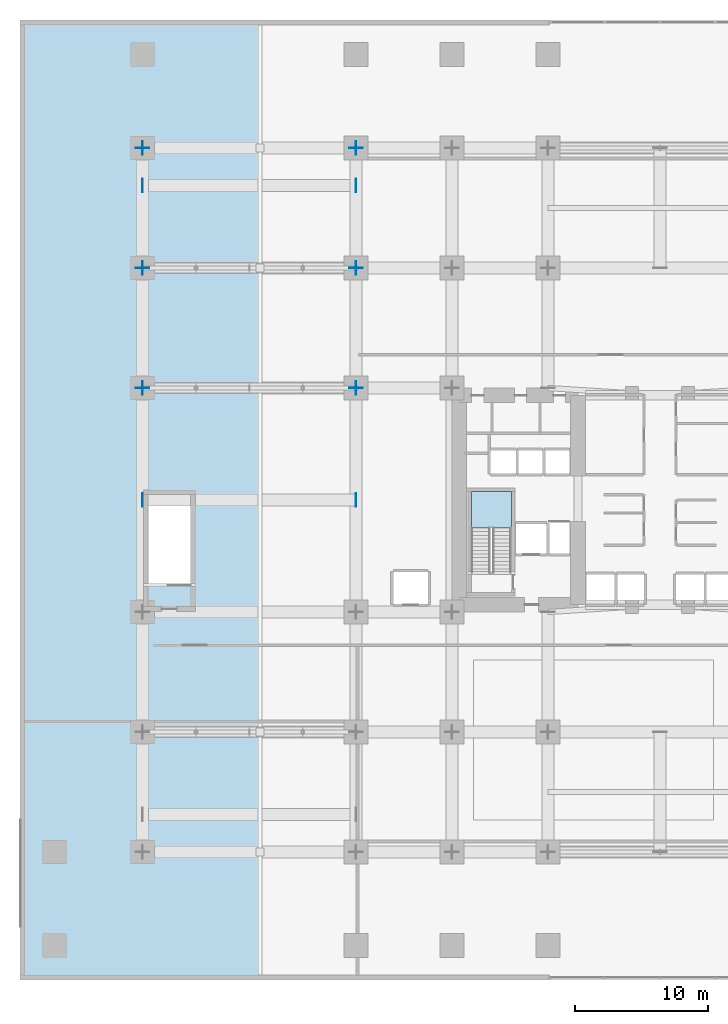
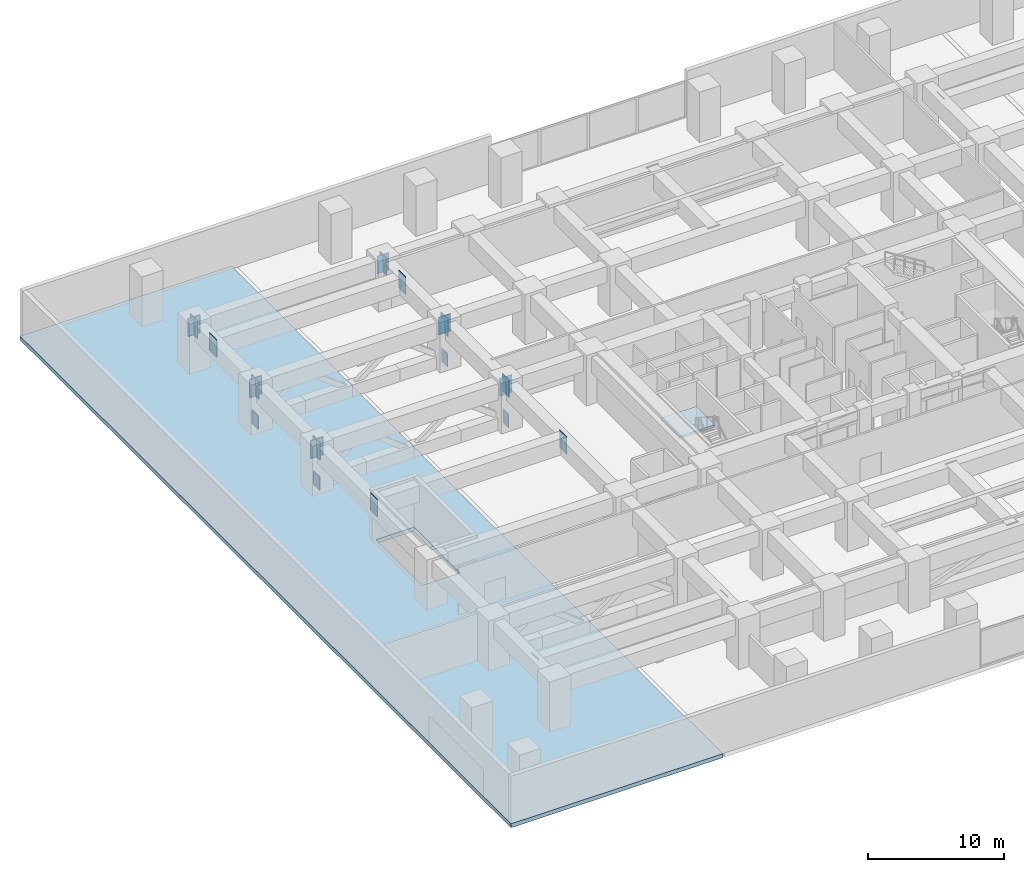
# One storey, part 9 of 25: 27 plates, 2 slabs, 1 element without a shape of its own.
"""IFC4 building model written with IfcOpenShell, lengths in metres."""

from ifc_helpers import new_model, si_unit, direction, frame, origin, origin_2d, place, context, subcontext, project, spatial, polyline, rectangle, outline, extrude, material, layer, layer_set, type_object, element, aggregate, save


model = new_model("IFC4")

# Units and contexts
model_context = context("Model", 3, precision=1e-05, world=origin(), true_north=direction((0.0, 1.0)))
body_context = subcontext(model_context, "Body", "Model", "MODEL_VIEW")
ifc_project = project(units=[si_unit("LENGTHUNIT", "METRE"), si_unit("AREAUNIT", "SQUARE_METRE"), si_unit("VOLUMEUNIT", "CUBIC_METRE"), si_unit("PLANEANGLEUNIT", "RADIAN"), si_unit("MASSUNIT", "GRAM", prefix="KILO")], contexts=[model_context])

# Site, building, storey
site_placement = place(None, origin())
site = spatial("IfcSite", under=ifc_project, at=site_placement, CompositionType="ELEMENT")
building_placement = place(site_placement, origin())
building = spatial("IfcBuilding", under=site, at=building_placement, Name="Kiyonajd Concourse Tower", CompositionType="ELEMENT")
storey_placement = place(building_placement, frame((0.0, 0.0, 17.10009765625)))
storey = spatial("IfcBuildingStorey", under=building, at=storey_placement, Name="L05", CompositionType="ELEMENT", Elevation=17.10009765625)

# Plates
ifc_material_1 = material(Name="Steel ASTM A572 Grade 50", Category="steel")
ifc_layer_1 = layer(ifc_material_1, 0.031982421875)
ifc_layer_set_1 = layer_set([ifc_layer_1], Name="Steel ASTM A572 Grade 50")
plate_type = type_object("IfcPlateType", Name="PL-CAP-540", PredefinedType="USERDEFINED", material=ifc_layer_set_1)
for number, where, z_axis, x_axis, name in (
    (1, (9.18896484375, 44.39990234375, -0.0703125), (0.0, 0.0, 1.0), (-1.0, 0.0, 0.0), "L05 Truss Chord End Cap"),
    (2, (25.2109375, 44.39990234375, -0.0703125), (0.0, 0.0, 1.0), (1.0, 0.0, 0.0), "L05 Truss Chord End Cap"),
    (3, (9.18896484375, 53.39990234375, -0.0703125), (0.0, 0.0, 1.0), (-1.0, 0.0, 0.0), "L05 Truss Chord End Cap"),
    (4, (25.2109375, 53.39990234375, -0.0703125), (0.0, 0.0, 1.0), (1.0, 0.0, 0.0), "L05 Truss Chord End Cap"),
):
    element("IfcPlate", number, at=place(storey_placement, frame(where, z_axis=z_axis, x_axis=x_axis)), inside=storey, type_object=plate_type, Name=name, ObjectType="CAP PLATE", PredefinedType="USERDEFINED", context=body_context, shape_type="SweptSolid", body=[
        extrude(rectangle(XDim=0.035888671875, YDim=0.8701171875, at=origin_2d()), origin(), (0.0, 0.0, 1.0), 1.239990234375),
    ])
for number, where, z_axis, x_axis, name in (
    (5, (9.18896484375, 59.60009765625, 2.7197265625), (0.0, 0.0, 1.0), (-1.0, 0.0, 0.0), "L05 Transfer Box Cap Plate"),
    (6, (25.2109375, 59.60009765625, 2.7197265625), (0.0, 0.0, 1.0), (1.0, 0.0, 0.0), "L05 Transfer Box Cap Plate"),
    (7, (9.18896484375, 36.0, 2.7197265625), (0.0, 0.0, 1.0), (-1.0, 0.0, 0.0), "L05 Transfer Box Cap Plate"),
    (8, (25.2109375, 36.0, 2.7197265625), (0.0, 0.0, 1.0), (1.0, 0.0, 0.0), "L05 Transfer Box Cap Plate"),
    (9, (9.18896484375, 44.39990234375, 2.7197265625), (0.0, 0.0, 1.0), (-1.0, 0.0, 0.0), "L05 Welded Box Girder End Cap"),
    (10, (25.2109375, 44.39990234375, 2.7197265625), (0.0, 0.0, 1.0), (1.0, 0.0, 0.0), "L05 Welded Box Girder End Cap"),
    (11, (25.18896484375, 44.39990234375, 2.7197265625), (0.0, 0.0, 1.0), (-1.0, 0.0, 0.0), "L05 Welded Box Girder End Cap"),
    (12, (9.18896484375, 53.39990234375, 2.7197265625), (0.0, 0.0, 1.0), (-1.0, 0.0, 0.0), "L05 Welded Box Girder End Cap"),
    (13, (25.2109375, 53.39990234375, 2.7197265625), (0.0, 0.0, 1.0), (1.0, 0.0, 0.0), "L05 Welded Box Girder End Cap"),
    (14, (25.18896484375, 53.39990234375, 2.7197265625), (0.0, 0.0, 1.0), (-1.0, 0.0, 0.0), "L05 Welded Box Girder End Cap"),
    (15, (9.18896484375, 62.39990234375, 2.7197265625), (0.0, 0.0, 1.0), (-1.0, 0.0, 0.0), "L05 Welded Box Girder End Cap"),
    (16, (25.2109375, 62.39990234375, 2.7197265625), (0.0, 0.0, 1.0), (1.0, 0.0, 0.0), "L05 Welded Box Girder End Cap"),
    (17, (25.18896484375, 62.39990234375, 2.7197265625), (0.0, 0.0, 1.0), (-1.0, 0.0, 0.0), "L05 Welded Box Girder End Cap"),
    (18, (9.199951171875, 44.410888671875, 2.73974609375), (0.0, 0.0, 1.0), (0.0, 1.0, 0.0), "L05 Welded Box Girder End Cap"),
    (19, (9.199951171875, 44.388916015625, 2.73974609375), (0.0, 0.0, 1.0), (0.0, -1.0, 0.0), "L05 Welded Box Girder End Cap"),
    (20, (9.199951171875, 53.410888671875, 2.73974609375), (0.0, 0.0, 1.0), (0.0, 1.0, 0.0), "L05 Welded Box Girder End Cap"),
    (21, (9.199951171875, 53.388916015625, 2.73974609375), (0.0, 0.0, 1.0), (0.0, -1.0, 0.0), "L05 Welded Box Girder End Cap"),
    (22, (9.199951171875, 62.410888671875, 2.73974609375), (0.0, 0.0, 1.0), (0.0, 1.0, 0.0), "L05 Welded Box Girder End Cap"),
    (23, (25.199951171875, 44.410888671875, 2.7197265625), (0.0, 0.0, 1.0), (0.0, 1.0, 0.0), "L05 Welded Box Girder End Cap"),
    (24, (25.199951171875, 44.388916015625, 2.7197265625), (0.0, 0.0, 1.0), (0.0, -1.0, 0.0), "L05 Welded Box Girder End Cap"),
    (25, (25.199951171875, 53.410888671875, 2.7197265625), (0.0, 0.0, 1.0), (0.0, 1.0, 0.0), "L05 Welded Box Girder End Cap"),
    (26, (25.199951171875, 53.388916015625, 2.7197265625), (0.0, 0.0, 1.0), (0.0, -1.0, 0.0), "L05 Welded Box Girder End Cap"),
    (27, (25.199951171875, 62.410888671875, 2.7197265625), (0.0, 0.0, 1.0), (0.0, 1.0, 0.0), "L05 Welded Box Girder End Cap"),
):
    element("IfcPlate", number, at=place(storey_placement, frame(where, z_axis=z_axis, x_axis=x_axis)), inside=storey, type_object=plate_type, Name=name, ObjectType="CAP PLATE", PredefinedType="USERDEFINED", context=body_context, shape_type="SweptSolid", body=[
        extrude(rectangle(XDim=0.035888671875, YDim=1.02001953125, at=origin_2d()), origin(), (0.0, 0.0, 1.0), 1.590087890625),
    ])

# Stair, slab
ifc_material_2 = material(Name="Concrete C40/50", Category="concrete")
stair_type = type_object("IfcStairType", Name="ST-DLG-26R", PredefinedType="HALF_TURN_STAIR", material=ifc_material_2)
stair_placement = place(storey_placement, origin())
stair = element("IfcStair", 28, at=stair_placement, inside=storey, type_object=stair_type, Name="L05 Protected Exit Stair ST1", PredefinedType="HALF_TURN_STAIR")
ifc_layer_2 = layer(ifc_material_2, 0.199951171875)
ifc_layer_set_2 = layer_set([ifc_layer_2], Name="Concrete C40/50")
slab_type_1 = type_object("IfcSlabType", Name="SL-LND-200", PredefinedType="LANDING", material=ifc_layer_set_2)
slab_1_placement = place(storey_placement, frame((0.0, 0.0, 2.0498046875)))
slab_1 = element("IfcSlab", 29, at=slab_1_placement, type_object=slab_type_1, Name="ST1 landing 1", PredefinedType="LANDING", context=body_context, shape_type="SweptSolid", body=[
    extrude(outline(polyline([(36.85009765625, 33.909912109375), (36.85009765625, 36.64990234375), (33.85009765625, 36.64990234375), (33.85009765625, 33.909912109375), (36.85009765625, 33.909912109375)])), origin(), (0.0, 0.0, 1.0), 0.2001953125),
])
aggregate(stair, [slab_1])

# Slab
ifc_material_3 = material(Name="Concrete C50/60", Category="concrete")
ifc_layer_3 = layer(ifc_material_3, 0.360107421875)
ifc_layer_set_3 = layer_set([ifc_layer_3], Name="Concrete C50/60")
slab_type_2 = type_object("IfcSlabType", Name="SL-XFER-360", PredefinedType="FLOOR", material=ifc_layer_set_3)
slab_2_placement = place(storey_placement, frame((0.0, 0.0, -0.360107421875)))
element("IfcSlab", 30, at=slab_2_placement, inside=storey, type_object=slab_type_2, Name="L05 West Wing Podium Structural Floor Slab", PredefinedType="FLOOR", context=body_context, shape_type="SweptSolid", body=[
    extrude(outline(polyline([(0.0, 0.0), (17.93994140625, 0.0), (17.93994140625, 72.0), (0.0, 72.0), (0.0, 0.0)]), holes=[polyline([(9.60009765625, 29.64990234375), (9.60009765625, 36.39990234375), (12.800048828125, 36.39990234375), (12.800048828125, 29.64990234375), (9.60009765625, 29.64990234375)])]), origin(), (0.0, 0.0, 1.0), 0.360107421875),
])

save(model, "model.ifc")
